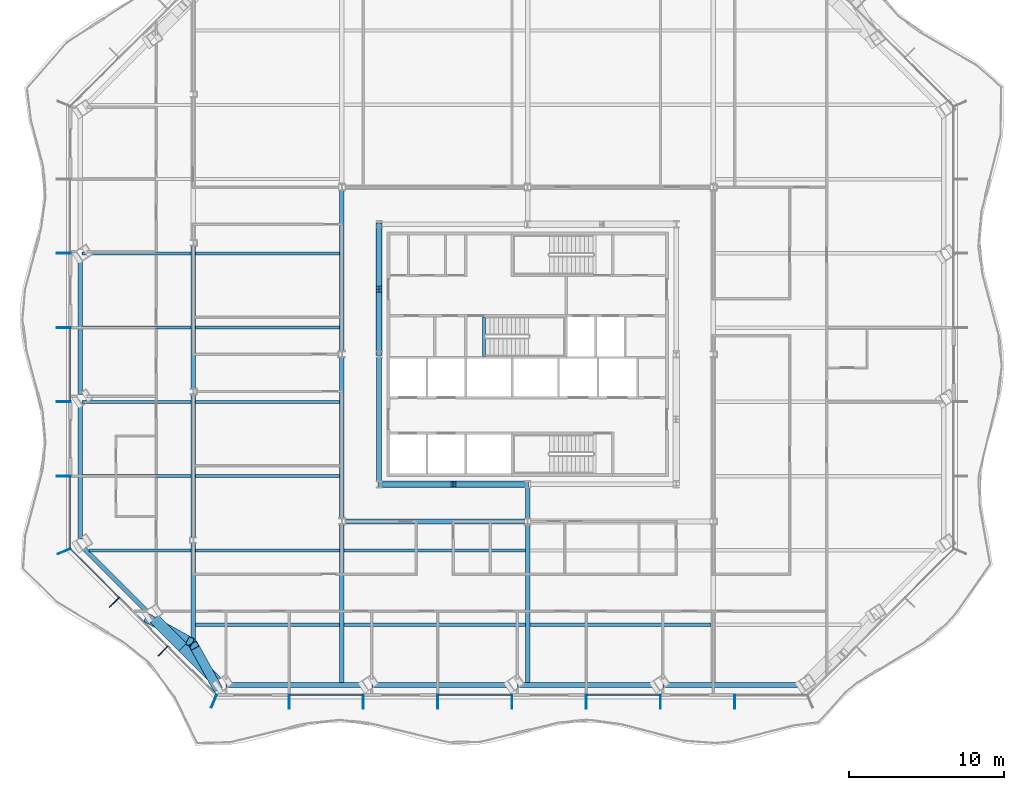
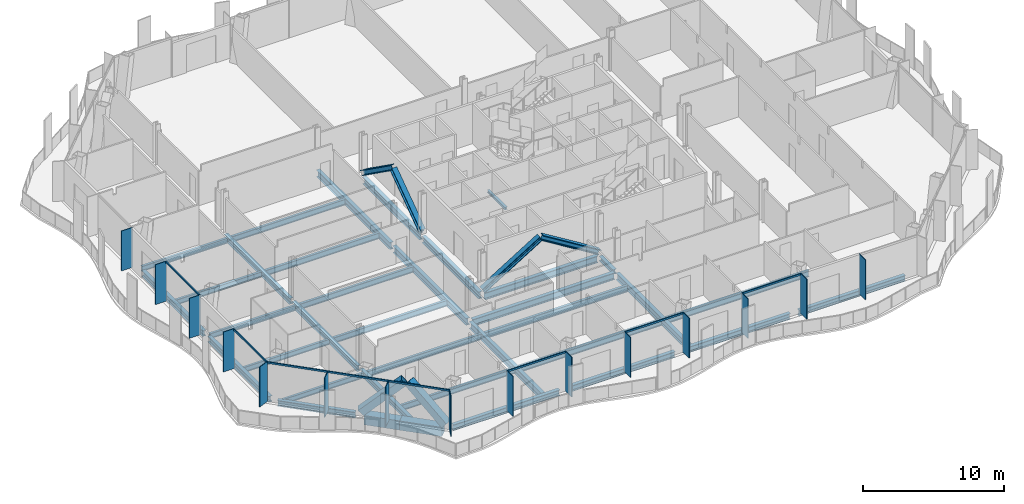
# One storey, part 3 of 21: 36 beams, 29 members, 3 elements without a shape of their own.
"""IFC4 building model written with IfcOpenShell, lengths in metres."""

from ifc_helpers import new_model, si_unit, direction, frame, origin, origin_2d, place, context, subcontext, project, spatial, rectangle, hollow_rectangle, i_section, extrude, material, material_profile, profile_set, type_object, element, aggregate, save


model = new_model("IFC4")

# Units and contexts
model_context = context("Model", 3, precision=1e-05, world=origin(), true_north=direction((0.0, 1.0)))
body_context = subcontext(model_context, "Body", "Model", "MODEL_VIEW")
ifc_project = project(units=[si_unit("LENGTHUNIT", "METRE"), si_unit("AREAUNIT", "SQUARE_METRE"), si_unit("VOLUMEUNIT", "CUBIC_METRE"), si_unit("PLANEANGLEUNIT", "RADIAN"), si_unit("MASSUNIT", "GRAM", prefix="KILO")], contexts=[model_context])

# Site, building, storey
site_placement = place(None, origin())
site = spatial("IfcSite", under=ifc_project, at=site_placement, CompositionType="ELEMENT")
building_placement = place(site_placement, origin())
building = spatial("IfcBuilding", under=site, at=building_placement, Name="Cairn Pilgrim Tower", CompositionType="ELEMENT")
storey_placement = place(building_placement, frame((0.0, 0.0, 108.60009765625)))
storey = spatial("IfcBuildingStorey", under=building, at=storey_placement, Name="L26", CompositionType="ELEMENT", Elevation=108.60009765625)

# Members
ifc_material_1 = material(Name="Structural steel S460M", Category="steel")
ifc_material_profile_1 = material_profile(ifc_material_1, hollow_rectangle(XDim=0.60009765625, YDim=0.60009765625, WallThickness=0.034912109375, at=origin_2d()), Name="BOX 600x600x35")
ifc_profile_set_1 = profile_set([ifc_material_profile_1], Name="Structural steel S460M")
member_type_1 = type_object("IfcMemberType", Name="BOX 600x600x35 BRACE", PredefinedType="BRACE", material=ifc_profile_set_1)
for number, where, z_axis, x_axis, name in (
    (1, (-17.302734375, -14.6796875, 0.14990234375), (0.666413676557, -0.369467850185, 0.647600431886), (0.484878604697, 0.874581464878, 0.0), "XB-SW2-S1-1"),
    (2, (-12.87939453125, -19.10302734375, 0.14990234375), (-0.369467850185, 0.666413676557, 0.647600431886), (-0.874581464878, -0.484878604697, 0.0), "XB-SW2-S1-2"),
):
    element("IfcMember", number, at=place(storey_placement, frame(where, z_axis=z_axis, x_axis=x_axis)), inside=storey, type_object=member_type_1, Name=name, PredefinedType="BRACE", context=body_context, shape_type="SweptSolid", body=[
        extrude(hollow_rectangle(XDim=0.60009765625, YDim=0.60009765625, WallThickness=0.034912109375, at=origin_2d()), origin(), (0.0, 0.0, 1.0), 4.02294921875),
    ])

# Beams
ifc_material_2 = material(Name="Structural steel S355J2", Category="steel")
ifc_material_profile_2 = material_profile(ifc_material_2, hollow_rectangle(XDim=0.699951171875, YDim=0.800048828125, WallThickness=0.0400390625, at=origin_2d()), Name="BOX 700x800x40")
ifc_profile_set_2 = profile_set([ifc_material_profile_2], Name="Structural steel S355J2")
beam_type_1 = type_object("IfcBeamType", Name="BOX 700x800x40 RING GIRDER", PredefinedType="SPANDREL", material=ifc_profile_set_2)
beam_1_placement = place(storey_placement, frame((-16.91748046875, -14.6904296875, -0.550048828125), z_axis=(0.707106781187, -0.707106781187, 0.0), x_axis=(0.707106781187, 0.707106781187, 0.0)))
element("IfcBeam", 3, at=beam_1_placement, inside=storey, type_object=beam_type_1, Name="RG1-SW2-S1-1", PredefinedType="SPANDREL", context=body_context, shape_type="SweptSolid", body=[
    extrude(hollow_rectangle(XDim=0.699951171875, YDim=0.800048828125, WallThickness=0.0400390625, at=origin_2d()), origin(), (0.0, 0.0, 1.0), 2.59375),
])
beam_2_placement = place(storey_placement, frame((-15.08349609375, -16.5244140625, -0.550048828125), z_axis=(0.707106781187, -0.707106781187, 0.0), x_axis=(0.707106781187, 0.707106781187, 0.0)))
element("IfcBeam", 4, at=beam_2_placement, inside=storey, type_object=beam_type_1, Name="RG1-SW2-S1-2", PredefinedType="SPANDREL", context=body_context, shape_type="SweptSolid", body=[
    extrude(hollow_rectangle(XDim=0.699951171875, YDim=0.800048828125, WallThickness=0.0400390625, at=origin_2d()), origin(), (0.0, 0.0, 1.0), 3.101806640625),
])

# Curtain wall, members
ifc_material_3 = material(Name="Aluminium alloy 6063-T6 bronze anodised with Bronze tinted laminated low-E glass 8+16+8.8", Category="aluminium")
curtain_wall_type_1 = type_object("IfcCurtainWallType", Name="TOWER STICK CURTAIN WALL NS", PredefinedType="NOTDEFINED", material=ifc_material_3)
curtain_wall_1_placement = place(storey_placement, origin())
curtain_wall_1 = element("IfcCurtainWall", 5, at=curtain_wall_1_placement, inside=storey, type_object=curtain_wall_type_1, Name="Tower Stick Curtain Wall Ns S", PredefinedType="NOTDEFINED")
ifc_material_4 = material(Name="Aluminium alloy 6063-T6 bronze anodised", Category="aluminium")
ifc_material_profile_3 = material_profile(ifc_material_4, rectangle(XDim=0.89990234375, YDim=0.06005859375, at=origin_2d()), Name="FIN MULLION 60x900 BRONZE")
ifc_profile_set_3 = profile_set([ifc_material_profile_3], Name="Aluminium alloy 6063-T6 bronze anodised")
member_type_2 = type_object("IfcMemberType", Name="FIN MULLION 60x900 BRONZE", PredefinedType="MULLION", material=ifc_profile_set_3)
member_1_placement = place(storey_placement, frame((-13.065673828125, -20.01025390625, 0.0), z_axis=(0.0, 0.0, 1.0), x_axis=(-0.382683432365, -0.923879532511, 0.0)))
member_1 = element("IfcMember", 6, at=member_1_placement, type_object=member_type_2, Name="Fin mullion S1", PredefinedType="MULLION", context=body_context, shape_type="SweptSolid", body=[
    extrude(rectangle(XDim=0.89990234375, YDim=0.06005859375, at=origin_2d()), origin(), (0.0, 0.0, 1.0), 3.449951171875),
])
member_2_placement = place(storey_placement, frame((-8.20849609375, -20.042236328125, 0.0), z_axis=(0.0, 0.0, 1.0), x_axis=(0.0, -1.0, 0.0)))
member_2 = element("IfcMember", 7, at=member_2_placement, type_object=member_type_2, Name="Fin mullion S2", PredefinedType="MULLION", context=body_context, shape_type="SweptSolid", body=[
    extrude(rectangle(XDim=0.89990234375, YDim=0.06005859375, at=origin_2d()), origin(), (0.0, 0.0, 1.0), 3.449951171875),
])
member_3_placement = place(storey_placement, frame((-3.408447265625, -20.042236328125, 0.0), z_axis=(0.0, 0.0, 1.0), x_axis=(0.0, -1.0, 0.0)))
member_3 = element("IfcMember", 8, at=member_3_placement, type_object=member_type_2, Name="Fin mullion S3", PredefinedType="MULLION", context=body_context, shape_type="SweptSolid", body=[
    extrude(rectangle(XDim=0.89990234375, YDim=0.06005859375, at=origin_2d()), origin(), (0.0, 0.0, 1.0), 3.449951171875),
])
member_4_placement = place(storey_placement, frame((1.3916015625, -20.042236328125, 0.0), z_axis=(0.0, 0.0, 1.0), x_axis=(0.0, -1.0, 0.0)))
member_4 = element("IfcMember", 9, at=member_4_placement, type_object=member_type_2, Name="Fin mullion S4", PredefinedType="MULLION", context=body_context, shape_type="SweptSolid", body=[
    extrude(rectangle(XDim=0.89990234375, YDim=0.06005859375, at=origin_2d()), origin(), (0.0, 0.0, 1.0), 3.449951171875),
])
member_5_placement = place(storey_placement, frame((6.191650390625, -20.042236328125, 0.0), z_axis=(0.0, 0.0, 1.0), x_axis=(0.0, -1.0, 0.0)))
member_5 = element("IfcMember", 10, at=member_5_placement, type_object=member_type_2, Name="Fin mullion S5", PredefinedType="MULLION", context=body_context, shape_type="SweptSolid", body=[
    extrude(rectangle(XDim=0.89990234375, YDim=0.06005859375, at=origin_2d()), origin(), (0.0, 0.0, 1.0), 3.449951171875),
])
member_6_placement = place(storey_placement, frame((10.99169921875, -20.042236328125, 0.0), z_axis=(0.0, 0.0, 1.0), x_axis=(0.0, -1.0, 0.0)))
member_6 = element("IfcMember", 11, at=member_6_placement, type_object=member_type_2, Name="Fin mullion S6", PredefinedType="MULLION", context=body_context, shape_type="SweptSolid", body=[
    extrude(rectangle(XDim=0.89990234375, YDim=0.06005859375, at=origin_2d()), origin(), (0.0, 0.0, 1.0), 3.449951171875),
])
member_7_placement = place(storey_placement, frame((15.79150390625, -20.042236328125, 0.0), z_axis=(0.0, 0.0, 1.0), x_axis=(0.0, -1.0, 0.0)))
member_7 = element("IfcMember", 12, at=member_7_placement, type_object=member_type_2, Name="Fin mullion S7", PredefinedType="MULLION", context=body_context, shape_type="SweptSolid", body=[
    extrude(rectangle(XDim=0.89990234375, YDim=0.06005859375, at=origin_2d()), origin(), (0.0, 0.0, 1.0), 3.449951171875),
])
member_8_placement = place(storey_placement, frame((20.591552734375, -20.042236328125, 0.0), z_axis=(0.0, 0.0, 1.0), x_axis=(0.0, -1.0, 0.0)))
member_8 = element("IfcMember", 13, at=member_8_placement, type_object=member_type_2, Name="Fin mullion S8", PredefinedType="MULLION", context=body_context, shape_type="SweptSolid", body=[
    extrude(rectangle(XDim=0.89990234375, YDim=0.06005859375, at=origin_2d()), origin(), (0.0, 0.0, 1.0), 3.449951171875),
])

curtain_wall_type_2 = type_object("IfcCurtainWallType", Name="TOWER STICK CURTAIN WALL EW", PredefinedType="NOTDEFINED", material=ifc_material_3)
curtain_wall_2_placement = place(storey_placement, origin())
curtain_wall_2 = element("IfcCurtainWall", 14, at=curtain_wall_2_placement, inside=storey, type_object=curtain_wall_type_2, Name="Tower Stick Curtain Wall Ew W", PredefinedType="NOTDEFINED")
member_9_placement = place(storey_placement, frame((-22.7783203125, 8.927734375, 0.0), z_axis=(0.0, 0.0, 1.0), x_axis=(-1.0, 0.0, 0.0)))
member_9 = element("IfcMember", 15, at=member_9_placement, type_object=member_type_2, Name="Fin mullion W3", PredefinedType="MULLION", context=body_context, shape_type="SweptSolid", body=[
    extrude(rectangle(XDim=0.89990234375, YDim=0.06005859375, at=origin_2d()), origin(), (0.0, 0.0, 1.0), 3.449951171875),
])
member_10_placement = place(storey_placement, frame((-22.7783203125, 4.127685546875, 0.0), z_axis=(0.0, 0.0, 1.0), x_axis=(-1.0, 0.0, 0.0)))
member_10 = element("IfcMember", 16, at=member_10_placement, type_object=member_type_2, Name="Fin mullion W4", PredefinedType="MULLION", context=body_context, shape_type="SweptSolid", body=[
    extrude(rectangle(XDim=0.89990234375, YDim=0.06005859375, at=origin_2d()), origin(), (0.0, 0.0, 1.0), 3.449951171875),
])
member_11_placement = place(storey_placement, frame((-22.7783203125, -0.67236328125, 0.0), z_axis=(0.0, 0.0, 1.0), x_axis=(-1.0, 0.0, 0.0)))
member_11 = element("IfcMember", 17, at=member_11_placement, type_object=member_type_2, Name="Fin mullion W5", PredefinedType="MULLION", context=body_context, shape_type="SweptSolid", body=[
    extrude(rectangle(XDim=0.89990234375, YDim=0.06005859375, at=origin_2d()), origin(), (0.0, 0.0, 1.0), 3.449951171875),
])
member_12_placement = place(storey_placement, frame((-22.7783203125, -5.47216796875, 0.0), z_axis=(0.0, 0.0, 1.0), x_axis=(-1.0, 0.0, 0.0)))
member_12 = element("IfcMember", 18, at=member_12_placement, type_object=member_type_2, Name="Fin mullion W6", PredefinedType="MULLION", context=body_context, shape_type="SweptSolid", body=[
    extrude(rectangle(XDim=0.89990234375, YDim=0.06005859375, at=origin_2d()), origin(), (0.0, 0.0, 1.0), 3.449951171875),
])

curtain_wall_type_3 = type_object("IfcCurtainWallType", Name="CHAMFER CORNER CURTAIN WALL", PredefinedType="NOTDEFINED", material=ifc_material_3)
curtain_wall_3_placement = place(storey_placement, origin())
curtain_wall_3 = element("IfcCurtainWall", 19, at=curtain_wall_3_placement, inside=storey, type_object=curtain_wall_type_3, Name="Chamfer Corner Curtain Wall SW", PredefinedType="NOTDEFINED")
member_13_placement = place(storey_placement, frame((-22.746337890625, -10.329345703125, 0.0), z_axis=(0.0, 0.0, 1.0), x_axis=(-0.923879532511, -0.382683432365, 0.0)))
member_13 = element("IfcMember", 20, at=member_13_placement, type_object=member_type_2, Name="Fin mullion SW1", PredefinedType="MULLION", context=body_context, shape_type="SweptSolid", body=[
    extrude(rectangle(XDim=0.89990234375, YDim=0.06005859375, at=origin_2d()), origin(), (0.0, 0.0, 1.0), 3.449951171875),
])
member_14_placement = place(storey_placement, frame((-19.504150390625, -13.616943359375, 0.0), z_axis=(0.0, 0.0, 1.0), x_axis=(-0.707106781187, -0.707106781187, 0.0)))
member_14 = element("IfcMember", 21, at=member_14_placement, type_object=member_type_2, Name="Fin mullion SW2", PredefinedType="MULLION", context=body_context, shape_type="SweptSolid", body=[
    extrude(rectangle(XDim=0.89990234375, YDim=0.06005859375, at=origin_2d()), origin(), (0.0, 0.0, 1.0), 3.449951171875),
])
member_15_placement = place(storey_placement, frame((-16.35302734375, -16.76806640625, 0.0), z_axis=(0.0, 0.0, 1.0), x_axis=(-0.707106781187, -0.707106781187, 0.0)))
member_15 = element("IfcMember", 22, at=member_15_placement, type_object=member_type_2, Name="Fin mullion SW3", PredefinedType="MULLION", context=body_context, shape_type="SweptSolid", body=[
    extrude(rectangle(XDim=0.89990234375, YDim=0.06005859375, at=origin_2d()), origin(), (0.0, 0.0, 1.0), 3.449951171875),
])

# Members
ifc_material_profile_4 = material_profile(ifc_material_1, i_section(OverallWidth=0.408935546875, OverallDepth=0.425048828125, WebThickness=0.03271484375, FlangeThickness=0.052490234375, FilletRadius=0.014892578125, at=origin_2d()), Name="HD 400x421")
ifc_profile_set_4 = profile_set([ifc_material_profile_4], Name="Structural steel S460M")
member_type_3 = type_object("IfcMemberType", Name="HD 400x421 BRACE", PredefinedType="BRACE", material=ifc_profile_set_4)
member_16_placement = place(storey_placement, frame((-2.357666015625, -6.0, 0.099853515625), z_axis=(0.851063308605, 0.0, 0.525063086444), x_axis=(0.0, 1.0, 0.0)))
element("IfcMember", 23, at=member_16_placement, inside=storey, type_object=member_type_3, Name="KB-1A", PredefinedType="BRACE", context=body_context, shape_type="SweptSolid", body=[
    extrude(i_section(OverallWidth=0.408935546875, OverallDepth=0.425048828125, WebThickness=0.03271484375, FlangeThickness=0.052490234375, FilletRadius=0.014892578125, at=origin_2d()), origin(), (0.0, 0.0, 1.0), 5.527587890625),
])
member_17_placement = place(storey_placement, frame((7.15771484375, -6.0, 0.099853515625), z_axis=(-0.851075484508, 0.0, 0.525043350277), x_axis=(0.0, -1.0, 0.0)))
element("IfcMember", 24, at=member_17_placement, inside=storey, type_object=member_type_3, Name="KB-1B", PredefinedType="BRACE", context=body_context, shape_type="SweptSolid", body=[
    extrude(i_section(OverallWidth=0.408935546875, OverallDepth=0.425048828125, WebThickness=0.03271484375, FlangeThickness=0.052490234375, FilletRadius=0.014892578125, at=origin_2d()), origin(), (0.0, 0.0, 1.0), 5.52783203125),
])
for number, where, z_axis, x_axis, name in (
    (25, (-2.39990234375, 10.757568359375, 0.099853515625), (0.0, -0.814281054922, 0.58047081201), (1.0, 0.0, 0.0), "KB-4A"),
    (26, (-2.39990234375, 2.4423828125, 0.099853515625), (0.0, 0.814281054922, 0.58047081201), (-1.0, 0.0, 0.0), "KB-4B"),
):
    element("IfcMember", number, at=place(storey_placement, frame(where, z_axis=z_axis, x_axis=x_axis)), inside=storey, type_object=member_type_3, Name=name, PredefinedType="BRACE", context=body_context, shape_type="SweptSolid", body=[
        extrude(i_section(OverallWidth=0.408935546875, OverallDepth=0.425048828125, WebThickness=0.03271484375, FlangeThickness=0.052490234375, FilletRadius=0.014892578125, at=origin_2d()), origin(), (0.0, 0.0, 1.0), 4.99755859375),
    ])

# Beams
ifc_material_profile_5 = material_profile(ifc_material_2, i_section(OverallWidth=0.300048828125, OverallDepth=0.39990234375, WebThickness=0.013427734375, FlangeThickness=0.02392578125, FilletRadius=0.027099609375, at=origin_2d()), Name="HEB 400")
ifc_profile_set_5 = profile_set([ifc_material_profile_5], Name="Structural steel S355J2")
beam_type_2 = type_object("IfcBeamType", Name="HEB 400 GIRDER", PredefinedType="BEAM", material=ifc_profile_set_5)
beam_3_placement = place(storey_placement, frame((7.199951171875, -8.195556640625, -0.35009765625), z_axis=(0.0, 1.0, 0.0), x_axis=(-1.0, 0.0, 0.0)))
element("IfcBeam", 27, at=beam_3_placement, inside=storey, type_object=beam_type_2, Name="PG3-E1", PredefinedType="BEAM", context=body_context, shape_type="SweptSolid", body=[
    extrude(i_section(OverallWidth=0.300048828125, OverallDepth=0.39990234375, WebThickness=0.013427734375, FlangeThickness=0.02392578125, FilletRadius=0.027099609375, at=origin_2d()), origin(), (0.0, 0.0, 1.0), 1.983642578125),
])
ifc_material_profile_6 = material_profile(ifc_material_2, i_section(OverallWidth=0.300048828125, OverallDepth=0.5, WebThickness=0.014404296875, FlangeThickness=0.028076171875, FilletRadius=0.027099609375, at=origin_2d()), Name="HEB 500")
ifc_profile_set_6 = profile_set([ifc_material_profile_6], Name="Structural steel S355J2")
beam_type_3 = type_object("IfcBeamType", Name="HEB 500 GIRDER", PredefinedType="BEAM", material=ifc_profile_set_6)
beam_4_placement = place(storey_placement, frame((-14.39990234375, -17.025634765625, -0.400146484375), z_axis=(0.0, 1.0, 0.0), x_axis=(-1.0, 0.0, 0.0)))
element("IfcBeam", 28, at=beam_4_placement, inside=storey, type_object=beam_type_3, Name="PG1-1", PredefinedType="BEAM", context=body_context, shape_type="SweptSolid", body=[
    extrude(i_section(OverallWidth=0.300048828125, OverallDepth=0.5, WebThickness=0.014404296875, FlangeThickness=0.028076171875, FilletRadius=0.027099609375, at=origin_2d()), origin(), (0.0, 0.0, 1.0), 7.22607421875),
])
for number, where, z_axis, x_axis, name in (
    (29, (-14.39990234375, -9.400390625, -0.400146484375), (0.0, 1.0, 0.0), (-1.0, 0.0, 0.0), "PG1-2"),
    (30, (-14.39990234375, 0.199462890625, -0.400146484375), (0.0, 1.0, 0.0), (-1.0, 0.0, 0.0), "PG1-3"),
):
    element("IfcBeam", number, at=place(storey_placement, frame(where, z_axis=z_axis, x_axis=x_axis)), inside=storey, type_object=beam_type_3, Name=name, PredefinedType="BEAM", context=body_context, shape_type="SweptSolid", body=[
        extrude(i_section(OverallWidth=0.300048828125, OverallDepth=0.5, WebThickness=0.014404296875, FlangeThickness=0.028076171875, FilletRadius=0.027099609375, at=origin_2d()), origin(), (0.0, 0.0, 1.0), 9.200927734375),
    ])
ifc_material_profile_7 = material_profile(ifc_material_2, i_section(OverallWidth=0.300048828125, OverallDepth=0.5, WebThickness=0.014404296875, FlangeThickness=0.028076171875, FilletRadius=0.027099609375, at=origin_2d()), Name="HEB 500")
ifc_profile_set_7 = profile_set([ifc_material_profile_7], Name="Structural steel S355J2")
beam_type_4 = type_object("IfcBeamType", Name="HEB 500 RING GIRDER", PredefinedType="SPANDREL", material=ifc_profile_set_7)
for number, where, z_axis, x_axis, name in (
    (31, (-12.275634765625, -18.972412109375, -0.400146484375), (1.0, 0.0, 0.0), (0.0, 1.0, 0.0), "RG1-S1-S2"),
    (32, (-2.862060546875, -18.972412109375, -0.400146484375), (1.0, 0.0, 0.0), (0.0, 1.0, 0.0), "RG1-S2-S3"),
    (33, (6.551513671875, -18.972412109375, -0.400146484375), (1.0, 0.0, 0.0), (0.0, 1.0, 0.0), "RG1-S3-S4"),
    (34, (15.965087890625, -18.972412109375, -0.400146484375), (1.0, 0.0, 0.0), (0.0, 1.0, 0.0), "RG1-S4-SE1"),
):
    element("IfcBeam", number, at=place(storey_placement, frame(where, z_axis=z_axis, x_axis=x_axis)), inside=storey, type_object=beam_type_4, Name=name, PredefinedType="SPANDREL", context=body_context, shape_type="SweptSolid", body=[
        extrude(i_section(OverallWidth=0.300048828125, OverallDepth=0.5, WebThickness=0.014404296875, FlangeThickness=0.028076171875, FilletRadius=0.027099609375, at=origin_2d()), origin(), (0.0, 0.0, 1.0), 8.693603515625),
    ])
for number, where, z_axis, x_axis, name in (
    (35, (-21.70849609375, 8.443603515625, -0.400146484375), (0.0, -1.0, 0.0), (1.0, 0.0, 0.0), "RG1-W2-W3"),
    (36, (-21.70849609375, -0.907958984375, -0.400146484375), (0.0, -1.0, 0.0), (1.0, 0.0, 0.0), "RG1-W3-SW1"),
):
    element("IfcBeam", number, at=place(storey_placement, frame(where, z_axis=z_axis, x_axis=x_axis)), inside=storey, type_object=beam_type_4, Name=name, PredefinedType="SPANDREL", context=body_context, shape_type="SweptSolid", body=[
        extrude(i_section(OverallWidth=0.300048828125, OverallDepth=0.5, WebThickness=0.014404296875, FlangeThickness=0.028076171875, FilletRadius=0.027099609375, at=origin_2d()), origin(), (0.0, 0.0, 1.0), 8.631591796875),
    ])
beam_5_placement = place(storey_placement, frame((-21.453857421875, -10.154052734375, -0.400146484375), z_axis=(0.707106781187, -0.707106781187, 0.0), x_axis=(0.707106781187, 0.707106781187, 0.0)))
element("IfcBeam", 37, at=beam_5_placement, inside=storey, type_object=beam_type_4, Name="RG1-SW1-SW2", PredefinedType="SPANDREL", context=body_context, shape_type="SweptSolid", body=[
    extrude(i_section(OverallWidth=0.300048828125, OverallDepth=0.5, WebThickness=0.014404296875, FlangeThickness=0.028076171875, FilletRadius=0.027099609375, at=origin_2d()), origin(), (0.0, 0.0, 1.0), 5.695556640625),
])
ifc_material_profile_8 = material_profile(ifc_material_2, i_section(OverallWidth=0.300048828125, OverallDepth=0.60009765625, WebThickness=0.015380859375, FlangeThickness=0.030029296875, FilletRadius=0.027099609375, at=origin_2d()), Name="HEB 600")
ifc_profile_set_8 = profile_set([ifc_material_profile_8], Name="Structural steel S355J2")
beam_type_5 = type_object("IfcBeamType", Name="HEB 600 CORE BEAM", PredefinedType="BEAM", material=ifc_profile_set_8)
beam_6_placement = place(storey_placement, frame((-2.209228515625, -6.0, -0.4501953125), z_axis=(1.0, 0.0, 0.0), x_axis=(0.0, 1.0, 0.0)))
element("IfcBeam", 38, at=beam_6_placement, inside=storey, type_object=beam_type_5, Name="CB-1", PredefinedType="BEAM", context=body_context, shape_type="SweptSolid", body=[
    extrude(i_section(OverallWidth=0.300048828125, OverallDepth=0.60009765625, WebThickness=0.015380859375, FlangeThickness=0.030029296875, FilletRadius=0.027099609375, at=origin_2d()), origin(), (0.0, 0.0, 1.0), 9.218505859375),
])
for number, where, z_axis, x_axis, name in (
    (39, (-2.39990234375, 10.609130859375, -0.4501953125), (0.0, -1.0, 0.0), (1.0, 0.0, 0.0), "CB-7"),
    (40, (-2.39990234375, 2.209228515625, -0.4501953125), (0.0, -1.0, 0.0), (1.0, 0.0, 0.0), "CB-8"),
):
    element("IfcBeam", number, at=place(storey_placement, frame(where, z_axis=z_axis, x_axis=x_axis)), inside=storey, type_object=beam_type_5, Name=name, PredefinedType="BEAM", context=body_context, shape_type="SweptSolid", body=[
        extrude(i_section(OverallWidth=0.300048828125, OverallDepth=0.60009765625, WebThickness=0.015380859375, FlangeThickness=0.030029296875, FilletRadius=0.027099609375, at=origin_2d()), origin(), (0.0, 0.0, 1.0), 8.018310546875),
    ])
ifc_material_profile_9 = material_profile(ifc_material_2, i_section(OverallWidth=0.300048828125, OverallDepth=0.60009765625, WebThickness=0.015380859375, FlangeThickness=0.030029296875, FilletRadius=0.027099609375, at=origin_2d()), Name="HEB 600")
ifc_profile_set_9 = profile_set([ifc_material_profile_9], Name="Structural steel S355J2")
beam_type_6 = type_object("IfcBeamType", Name="HEB 600 GIRDER", PredefinedType="BEAM", material=ifc_profile_set_9)
beam_7_placement = place(storey_placement, frame((-4.800048828125, -18.852294921875, -0.4501953125), z_axis=(0.0, 1.0, 0.0), x_axis=(-1.0, 0.0, 0.0)))
element("IfcBeam", 41, at=beam_7_placement, inside=storey, type_object=beam_type_6, Name="PG2-1", PredefinedType="BEAM", context=body_context, shape_type="SweptSolid", body=[
    extrude(i_section(OverallWidth=0.300048828125, OverallDepth=0.60009765625, WebThickness=0.015380859375, FlangeThickness=0.030029296875, FilletRadius=0.027099609375, at=origin_2d()), origin(), (0.0, 0.0, 1.0), 10.247802734375),
])
for number, where, z_axis, x_axis, name in (
    (42, (-4.800048828125, -8.195556640625, -0.4501953125), (0.0, 1.0, 0.0), (-1.0, 0.0, 0.0), "PG2-2"),
    (43, (-4.800048828125, 2.6044921875, -0.4501953125), (0.0, 1.0, 0.0), (-1.0, 0.0, 0.0), "PG2-3"),
):
    element("IfcBeam", number, at=place(storey_placement, frame(where, z_axis=z_axis, x_axis=x_axis)), inside=storey, type_object=beam_type_6, Name=name, PredefinedType="BEAM", context=body_context, shape_type="SweptSolid", body=[
        extrude(i_section(OverallWidth=0.300048828125, OverallDepth=0.60009765625, WebThickness=0.015380859375, FlangeThickness=0.030029296875, FilletRadius=0.027099609375, at=origin_2d()), origin(), (0.0, 0.0, 1.0), 10.39111328125),
    ])
beam_8_placement = place(storey_placement, frame((7.199951171875, -18.852294921875, -0.4501953125), z_axis=(0.0, 1.0, 0.0), x_axis=(-1.0, 0.0, 0.0)))
element("IfcBeam", 44, at=beam_8_placement, inside=storey, type_object=beam_type_6, Name="PG3-1", PredefinedType="BEAM", context=body_context, shape_type="SweptSolid", body=[
    extrude(i_section(OverallWidth=0.300048828125, OverallDepth=0.60009765625, WebThickness=0.015380859375, FlangeThickness=0.030029296875, FilletRadius=0.027099609375, at=origin_2d()), origin(), (0.0, 0.0, 1.0), 10.247802734375),
])
ifc_material_profile_10 = material_profile(ifc_material_2, i_section(OverallWidth=0.300048828125, OverallDepth=0.60009765625, WebThickness=0.015380859375, FlangeThickness=0.030029296875, FilletRadius=0.027099609375, at=origin_2d()), Name="HEB 600")
ifc_profile_set_10 = profile_set([ifc_material_profile_10], Name="Structural steel S355J2")
beam_type_7 = type_object("IfcBeamType", Name="HEB 600 INNER GIRDER", PredefinedType="BEAM", material=ifc_profile_set_10)
beam_9_placement = place(storey_placement, frame((-4.595458984375, -8.39990234375, -0.4501953125), z_axis=(1.0, 0.0, 0.0), x_axis=(0.0, 1.0, 0.0)))
element("IfcBeam", 45, at=beam_9_placement, inside=storey, type_object=beam_type_7, Name="IG1-1", PredefinedType="BEAM", context=body_context, shape_type="SweptSolid", body=[
    extrude(i_section(OverallWidth=0.300048828125, OverallDepth=0.60009765625, WebThickness=0.015380859375, FlangeThickness=0.030029296875, FilletRadius=0.027099609375, at=origin_2d()), origin(), (0.0, 0.0, 1.0), 11.591064453125),
])
ifc_material_profile_11 = material_profile(ifc_material_2, i_section(OverallWidth=0.18994140625, OverallDepth=0.449951171875, WebThickness=0.009521484375, FlangeThickness=0.0146484375, FilletRadius=0.02099609375, at=origin_2d()), Name="IPE 450")
ifc_profile_set_11 = profile_set([ifc_material_profile_11], Name="Structural steel S355J2")
beam_type_8 = type_object("IfcBeamType", Name="IPE 450 SECONDARY BEAM", PredefinedType="JOIST", material=ifc_profile_set_11)
beam_10_placement = place(storey_placement, frame((-21.153564453125, -10.272216796875, -0.375), z_axis=(1.0, 0.0, 0.0), x_axis=(0.0, 1.0, 0.0)))
element("IfcBeam", 46, at=beam_10_placement, inside=storey, type_object=beam_type_8, Name="SB2-1", PredefinedType="JOIST", context=body_context, shape_type="SweptSolid", body=[
    extrude(i_section(OverallWidth=0.18994140625, OverallDepth=0.449951171875, WebThickness=0.009521484375, FlangeThickness=0.0146484375, FilletRadius=0.02099609375, at=origin_2d()), origin(), (0.0, 0.0, 1.0), 6.603515625),
])
for number, where, z_axis, x_axis, name in (
    (47, (-21.58837890625, -5.472412109375, -0.375), (1.0, 0.0, 0.0), (0.0, 1.0, 0.0), "SB3-1"),
    (48, (-21.58837890625, -0.67236328125, -0.375), (1.0, 0.0, 0.0), (0.0, 1.0, 0.0), "SB4-1"),
    (49, (-21.58837890625, 4.127685546875, -0.375), (1.0, 0.0, 0.0), (0.0, 1.0, 0.0), "SB5-1"),
    (50, (-21.58837890625, 8.927734375, -0.375), (1.0, 0.0, 0.0), (0.0, 1.0, 0.0), "SB6-1"),
):
    element("IfcBeam", number, at=place(storey_placement, frame(where, z_axis=z_axis, x_axis=x_axis)), inside=storey, type_object=beam_type_8, Name=name, PredefinedType="JOIST", context=body_context, shape_type="SweptSolid", body=[
        extrude(i_section(OverallWidth=0.18994140625, OverallDepth=0.449951171875, WebThickness=0.009521484375, FlangeThickness=0.0146484375, FilletRadius=0.02099609375, at=origin_2d()), origin(), (0.0, 0.0, 1.0), 7.038330078125),
    ])
ifc_material_profile_12 = material_profile(ifc_material_2, i_section(OverallWidth=0.199951171875, OverallDepth=0.5, WebThickness=0.01025390625, FlangeThickness=0.01611328125, FilletRadius=0.02099609375, at=origin_2d()), Name="IPE 500")
ifc_profile_set_12 = profile_set([ifc_material_profile_12], Name="Structural steel S355J2")
beam_type_9 = type_object("IfcBeamType", Name="IPE 500 SECONDARY BEAM", PredefinedType="JOIST", material=ifc_profile_set_12)
for number, where, z_axis, x_axis, name in (
    (51, (-14.25, -15.072265625, -0.400146484375), (1.0, 0.0, 0.0), (0.0, 1.0, 0.0), "SB1-1"),
    (52, (-14.25, -10.272216796875, -0.400146484375), (1.0, 0.0, 0.0), (0.0, 1.0, 0.0), "SB2-2"),
    (53, (-14.25, -5.472412109375, -0.400146484375), (1.0, 0.0, 0.0), (0.0, 1.0, 0.0), "SB3-2"),
    (54, (-14.25, -0.67236328125, -0.400146484375), (1.0, 0.0, 0.0), (0.0, 1.0, 0.0), "SB4-2"),
    (55, (-14.25, 4.127685546875, -0.400146484375), (1.0, 0.0, 0.0), (0.0, 1.0, 0.0), "SB5-2"),
    (56, (-14.25, 8.927734375, -0.400146484375), (1.0, 0.0, 0.0), (0.0, 1.0, 0.0), "SB6-2"),
):
    element("IfcBeam", number, at=place(storey_placement, frame(where, z_axis=z_axis, x_axis=x_axis)), inside=storey, type_object=beam_type_9, Name=name, PredefinedType="JOIST", context=body_context, shape_type="SweptSolid", body=[
        extrude(i_section(OverallWidth=0.199951171875, OverallDepth=0.5, WebThickness=0.01025390625, FlangeThickness=0.01611328125, FilletRadius=0.02099609375, at=origin_2d()), origin(), (0.0, 0.0, 1.0), 9.300048828125),
    ])
ifc_material_profile_13 = material_profile(ifc_material_2, i_section(OverallWidth=0.2099609375, OverallDepth=0.550048828125, WebThickness=0.010986328125, FlangeThickness=0.01708984375, FilletRadius=0.02392578125, at=origin_2d()), Name="IPE 550")
ifc_profile_set_13 = profile_set([ifc_material_profile_13], Name="Structural steel S355J2")
beam_type_10 = type_object("IfcBeamType", Name="IPE 550 SECONDARY BEAM", PredefinedType="JOIST", material=ifc_profile_set_13)
for number, where, z_axis, x_axis, name in (
    (57, (-4.64990234375, -15.072265625, -0.425048828125), (1.0, 0.0, 0.0), (0.0, 1.0, 0.0), "SB1-2"),
    (58, (7.35009765625, -15.072265625, -0.425048828125), (1.0, 0.0, 0.0), (0.0, 1.0, 0.0), "SB1-3"),
    (59, (-4.64990234375, -10.272216796875, -0.425048828125), (1.0, 0.0, 0.0), (0.0, 1.0, 0.0), "SB2-3"),
):
    element("IfcBeam", number, at=place(storey_placement, frame(where, z_axis=z_axis, x_axis=x_axis)), inside=storey, type_object=beam_type_10, Name=name, PredefinedType="JOIST", context=body_context, shape_type="SweptSolid", body=[
        extrude(i_section(OverallWidth=0.2099609375, OverallDepth=0.550048828125, WebThickness=0.010986328125, FlangeThickness=0.01708984375, FilletRadius=0.02392578125, at=origin_2d()), origin(), (0.0, 0.0, 1.0), 11.699951171875),
    ])
ifc_material_profile_14 = material_profile(ifc_material_2, i_section(OverallWidth=0.199951171875, OverallDepth=0.199951171875, WebThickness=0.009033203125, FlangeThickness=0.014892578125, FilletRadius=0.01806640625, at=origin_2d()), Name="HE 200 B")
ifc_profile_set_14 = profile_set([ifc_material_profile_14], Name="Structural steel S355J2")
beam_type_11 = type_object("IfcBeamType", Name="STAIR LANDING BEAM HE 200 B", PredefinedType="BEAM", material=ifc_profile_set_14)
beam_11_placement = place(storey_placement, frame((4.37548828125, 2.27490234375, -0.25), z_axis=(0.0, 1.0, 0.0), x_axis=(-1.0, 0.0, 0.0)))
element("IfcBeam", 60, at=beam_11_placement, inside=storey, type_object=beam_type_11, Name="STAIR LANDING BEAM LD-HE200B", PredefinedType="BEAM", context=body_context, shape_type="SweptSolid", body=[
    extrude(i_section(OverallWidth=0.199951171875, OverallDepth=0.199951171875, WebThickness=0.009033203125, FlangeThickness=0.014892578125, FilletRadius=0.01806640625, at=origin_2d()), origin(), (0.0, 0.0, 1.0), 2.550048828125),
])

# Member
ifc_material_profile_15 = material_profile(ifc_material_4, rectangle(XDim=0.080078125, YDim=0.14990234375, at=origin_2d()), Name="TRANSOM 80x150 BRONZE")
ifc_profile_set_15 = profile_set([ifc_material_profile_15], Name="Aluminium alloy 6063-T6 bronze anodised")
member_type_4 = type_object("IfcMemberType", Name="TRANSOM 80x150 BRONZE", PredefinedType="USERDEFINED", material=ifc_profile_set_15)
member_18_placement = place(storey_placement, frame((-8.178466796875, -19.622314453125, 3.375), z_axis=(1.0, 0.0, 0.0), x_axis=(0.0, 1.0, 0.0)))
member_18 = element("IfcMember", 61, at=member_18_placement, type_object=member_type_4, Name="Transom S2", ObjectType="TRANSOM", PredefinedType="USERDEFINED", context=body_context, shape_type="SweptSolid", body=[
    extrude(rectangle(XDim=0.080078125, YDim=0.14990234375, at=origin_2d()), origin(), (0.0, 0.0, 1.0), 4.739990234375),
])

member_19_placement = place(storey_placement, frame((1.421630859375, -19.622314453125, 3.375), z_axis=(1.0, 0.0, 0.0), x_axis=(0.0, 1.0, 0.0)))
member_19 = element("IfcMember", 62, at=member_19_placement, type_object=member_type_4, Name="Transom S4", ObjectType="TRANSOM", PredefinedType="USERDEFINED", context=body_context, shape_type="SweptSolid", body=[
    extrude(rectangle(XDim=0.080078125, YDim=0.14990234375, at=origin_2d()), origin(), (0.0, 0.0, 1.0), 4.739990234375),
])

member_20_placement = place(storey_placement, frame((11.021728515625, -19.622314453125, 3.375), z_axis=(1.0, 0.0, 0.0), x_axis=(0.0, 1.0, 0.0)))
member_20 = element("IfcMember", 63, at=member_20_placement, type_object=member_type_4, Name="Transom S6", ObjectType="TRANSOM", PredefinedType="USERDEFINED", context=body_context, shape_type="SweptSolid", body=[
    extrude(rectangle(XDim=0.080078125, YDim=0.14990234375, at=origin_2d()), origin(), (0.0, 0.0, 1.0), 4.739990234375),
])

aggregate(curtain_wall_1, [member_1, member_2, member_3, member_4, member_5, member_6, member_7, member_8, member_18, member_19, member_20])

member_21_placement = place(storey_placement, frame((-22.3583984375, 4.09765625, 3.375), z_axis=(0.0, -1.0, 0.0), x_axis=(1.0, 0.0, 0.0)))
member_21 = element("IfcMember", 64, at=member_21_placement, type_object=member_type_4, Name="Transom W4", ObjectType="TRANSOM", PredefinedType="USERDEFINED", context=body_context, shape_type="SweptSolid", body=[
    extrude(rectangle(XDim=0.080078125, YDim=0.14990234375, at=origin_2d()), origin(), (0.0, 0.0, 1.0), 4.739990234375),
])

member_22_placement = place(storey_placement, frame((-22.3583984375, -5.502197265625, 3.375), z_axis=(0.0, -1.0, 0.0), x_axis=(1.0, 0.0, 0.0)))
member_22 = element("IfcMember", 65, at=member_22_placement, type_object=member_type_4, Name="Transom W6", ObjectType="TRANSOM", PredefinedType="USERDEFINED", context=body_context, shape_type="SweptSolid", body=[
    extrude(rectangle(XDim=0.080078125, YDim=0.14990234375, at=origin_2d()), origin(), (0.0, 0.0, 1.0), 4.62646484375),
])

aggregate(curtain_wall_2, [member_9, member_10, member_11, member_12, member_21, member_22])

member_23_placement = place(storey_placement, frame((-22.330078125, -10.197021484375, 3.375), z_axis=(0.707106781187, -0.707106781187, 0.0), x_axis=(0.707106781187, 0.707106781187, 0.0)))
member_23 = element("IfcMember", 66, at=member_23_placement, type_object=member_type_4, Name="Transom SW1", ObjectType="TRANSOM", PredefinedType="USERDEFINED", context=body_context, shape_type="SweptSolid", body=[
    extrude(rectangle(XDim=0.080078125, YDim=0.14990234375, at=origin_2d()), origin(), (0.0, 0.0, 1.0), 4.38623046875),
])

member_24_placement = place(storey_placement, frame((-19.18603515625, -13.341064453125, 3.375), z_axis=(0.707106781187, -0.707106781187, 0.0), x_axis=(0.707106781187, 0.707106781187, 0.0)))
member_24 = element("IfcMember", 67, at=member_24_placement, type_object=member_type_4, Name="Transom SW2", ObjectType="TRANSOM", PredefinedType="USERDEFINED", context=body_context, shape_type="SweptSolid", body=[
    extrude(rectangle(XDim=0.080078125, YDim=0.14990234375, at=origin_2d()), origin(), (0.0, 0.0, 1.0), 4.396728515625),
])

member_25_placement = place(storey_placement, frame((-16.034912109375, -16.4921875, 3.375), z_axis=(0.707106781187, -0.707106781187, 0.0), x_axis=(0.707106781187, 0.707106781187, 0.0)))
member_25 = element("IfcMember", 68, at=member_25_placement, type_object=member_type_4, Name="Transom SW3", ObjectType="TRANSOM", PredefinedType="USERDEFINED", context=body_context, shape_type="SweptSolid", body=[
    extrude(rectangle(XDim=0.080078125, YDim=0.14990234375, at=origin_2d()), origin(), (0.0, 0.0, 1.0), 4.38671875),
])

aggregate(curtain_wall_3, [member_13, member_14, member_15, member_23, member_24, member_25])

save(model, "model.ifc")
